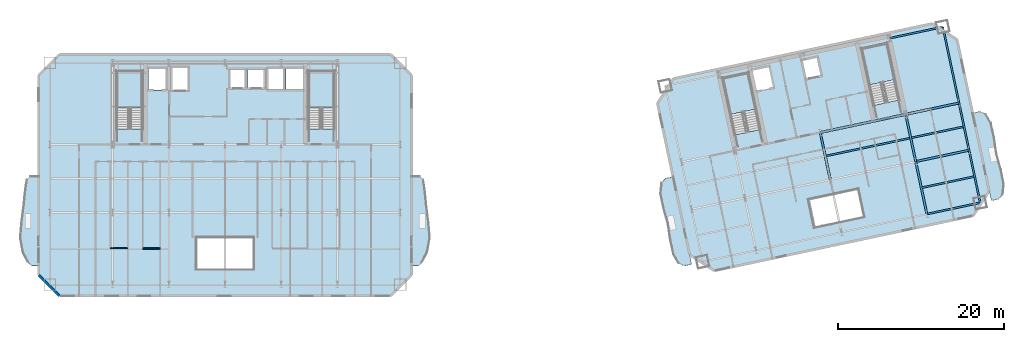
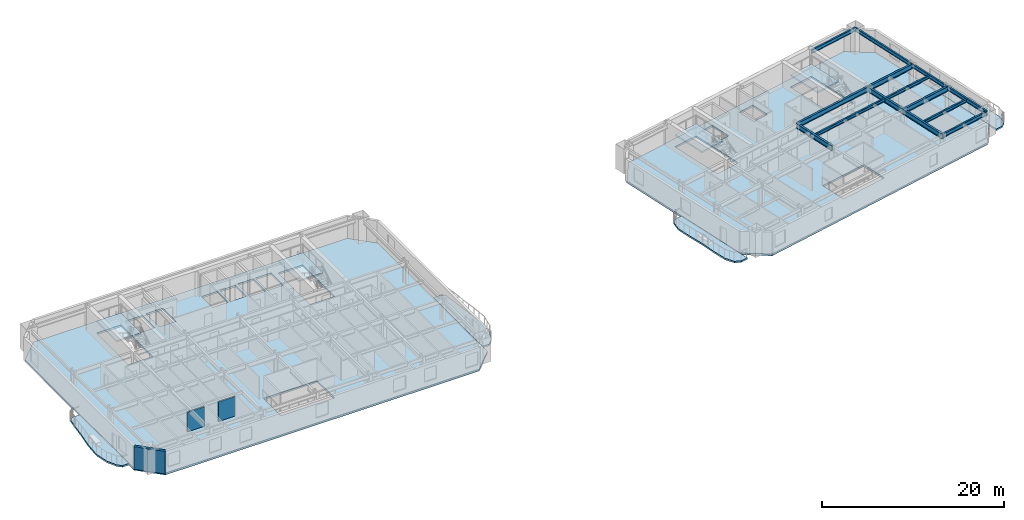
# One storey, part 4 of 14: 14 beams, 10 slabs, 3 walls, 4 elements without a shape of their own.
"""IFC4 building model written with IfcOpenShell, lengths in metres."""

from ifc_helpers import new_model, si_unit, direction, frame, frame_2d, origin, origin_2d, place, context, subcontext, project, spatial, polyline, rectangle, i_section, outline, extrude, material, layer, layer_set, material_profile, profile_set, type_object, element, aggregate, save


model = new_model("IFC4")

# Units and contexts
model_context = context("Model", 3, precision=1e-05, world=origin(), true_north=direction((0.0, 1.0)))
body_context = subcontext(model_context, "Body", "Model", "MODEL_VIEW")
ifc_project = project(units=[si_unit("LENGTHUNIT", "METRE"), si_unit("AREAUNIT", "SQUARE_METRE"), si_unit("VOLUMEUNIT", "CUBIC_METRE"), si_unit("PLANEANGLEUNIT", "RADIAN"), si_unit("MASSUNIT", "GRAM", prefix="KILO")], contexts=[model_context])

# Site, building, storey
site_placement = place(None, origin())
site = spatial("IfcSite", under=ifc_project, at=site_placement, CompositionType="ELEMENT")
building_placement = place(site_placement, origin())
building = spatial("IfcBuilding", under=site, at=building_placement, Name="Haevon Station Towers", CompositionType="ELEMENT")
storey_placement = place(building_placement, frame((0.0, 0.0, 119.699951171875)))
storey = spatial("IfcBuildingStorey", under=building, at=storey_placement, Name="L32", CompositionType="ELEMENT", Elevation=119.699951171875)

# Beams
ifc_material_1 = material(Name="Steel S355", Category="steel")
ifc_material_profile_1 = material_profile(ifc_material_1, i_section(OverallWidth=0.25, OverallDepth=0.64990234375, WebThickness=0.012939453125, FlangeThickness=0.02197265625, at=origin_2d()), Name="H-650x250x13x22")
ifc_profile_set_1 = profile_set([ifc_material_profile_1], Name="Steel S355")
beam_type_1 = type_object("IfcBeamType", Name="BM-G650", PredefinedType="BEAM", material=ifc_profile_set_1)
beam_1_placement = place(storey_placement, frame((120.499267578125, 36.13525390625, 2.72509765625), z_axis=(0.978148524343, 0.207907345532, 0.0), x_axis=(-0.207907345532, 0.978148524343, 0.0)))
element("IfcBeam", 1, at=beam_1_placement, inside=storey, type_object=beam_type_1, Name="BM-T2U-L32-02-04", PredefinedType="BEAM", context=body_context, shape_type="SweptSolid", body=[
    extrude(i_section(OverallWidth=0.25, OverallDepth=0.64990234375, WebThickness=0.012939453125, FlangeThickness=0.02197265625, at=origin_2d()), origin(), (0.0, 0.0, 1.0), 6.550048828125),
])
beam_2_placement = place(storey_placement, frame((109.02294921875, 39.62548828125, 2.72509765625), z_axis=(0.978146794194, 0.207915485254, 0.0), x_axis=(-0.207915485254, 0.978146794194, 0.0)))
element("IfcBeam", 2, at=beam_2_placement, inside=storey, type_object=beam_type_1, Name="BM-T2U-L32-03-03", PredefinedType="BEAM", context=body_context, shape_type="SweptSolid", body=[
    extrude(i_section(OverallWidth=0.25, OverallDepth=0.64990234375, WebThickness=0.012939453125, FlangeThickness=0.02197265625, at=origin_2d()), origin(), (0.0, 0.0, 1.0), 10.5),
])
beam_3_placement = place(storey_placement, frame((119.29345703125, 41.80859375, 2.72509765625), z_axis=(0.978146913123, 0.207914925745, 0.0), x_axis=(-0.207914925745, 0.978146913123, 0.0)))
element("IfcBeam", 3, at=beam_3_placement, inside=storey, type_object=beam_type_1, Name="BM-T2U-L32-03-04", PredefinedType="BEAM", context=body_context, shape_type="SweptSolid", body=[
    extrude(i_section(OverallWidth=0.25, OverallDepth=0.64990234375, WebThickness=0.012939453125, FlangeThickness=0.02197265625, at=origin_2d()), origin(), (0.0, 0.0, 1.0), 6.5498046875),
])
beam_4_placement = place(storey_placement, frame((110.228759765625, 33.9521484375, 2.72509765625), z_axis=(-0.207896009217, 0.97815093383, 0.0), x_axis=(-0.97815093383, -0.207896009217, 0.0)))
element("IfcBeam", 4, at=beam_4_placement, inside=storey, type_object=beam_type_1, Name="BM-T2V-L32-03-02", PredefinedType="BEAM", context=body_context, shape_type="SweptSolid", body=[
    extrude(i_section(OverallWidth=0.25, OverallDepth=0.64990234375, WebThickness=0.012939453125, FlangeThickness=0.02197265625, at=origin_2d()), origin(), (0.0, 0.0, 1.0), 5.800048828125),
])
beam_5_placement = place(storey_placement, frame((121.84033203125, 29.826171875, 2.72509765625), z_axis=(-0.207915795165, 0.978146728319, 0.0), x_axis=(-0.978146728319, -0.207915795165, 0.0)))
element("IfcBeam", 5, at=beam_5_placement, inside=storey, type_object=beam_type_1, Name="BM-T2V-L32-04-01", PredefinedType="BEAM", context=body_context, shape_type="SweptSolid", body=[
    extrude(i_section(OverallWidth=0.25, OverallDepth=0.64990234375, WebThickness=0.012939453125, FlangeThickness=0.02197265625, at=origin_2d()), origin(), (0.0, 0.0, 1.0), 6.449951171875),
])
beam_6_placement = place(storey_placement, frame((120.499267578125, 36.13525390625, 2.72509765625), z_axis=(-0.207896009217, 0.97815093383, 0.0), x_axis=(-0.97815093383, -0.207896009217, 0.0)))
element("IfcBeam", 6, at=beam_6_placement, inside=storey, type_object=beam_type_1, Name="BM-T2V-L32-04-02", PredefinedType="BEAM", context=body_context, shape_type="SweptSolid", body=[
    extrude(i_section(OverallWidth=0.25, OverallDepth=0.64990234375, WebThickness=0.012939453125, FlangeThickness=0.02197265625, at=origin_2d()), origin(), (0.0, 0.0, 1.0), 5.800048828125),
])
ifc_material_profile_2 = material_profile(ifc_material_1, i_section(OverallWidth=0.199951171875, OverallDepth=0.39990234375, WebThickness=0.008056640625, FlangeThickness=0.012939453125, at=origin_2d()), Name="H-400x200x8x13")
ifc_profile_set_2 = profile_set([ifc_material_profile_2], Name="Steel S355")
beam_type_2 = type_object("IfcBeamType", Name="BM-J400", PredefinedType="JOIST", material=ifc_profile_set_2)
beam_7_placement = place(storey_placement, frame((121.27734375, 33.003662109375, 2.85009765625), z_axis=(0.978146498858, 0.207916874669, 0.0), x_axis=(-0.207916874669, 0.978146498858, 0.0)))
element("IfcBeam", 7, at=beam_7_placement, inside=storey, type_object=beam_type_2, Name="BM-T2J-L32-01-04", PredefinedType="JOIST", context=body_context, shape_type="SweptSolid", body=[
    extrude(i_section(OverallWidth=0.199951171875, OverallDepth=0.39990234375, WebThickness=0.008056640625, FlangeThickness=0.012939453125, at=origin_2d()), origin(), (0.0, 0.0, 1.0), 6.330322265625),
])
beam_8_placement = place(storey_placement, frame((109.7333984375, 36.811767578125, 2.85009765625), z_axis=(0.978150339653, 0.207898804801, 0.0), x_axis=(-0.207898804801, 0.978150339653, 0.0)))
element("IfcBeam", 8, at=beam_8_placement, inside=storey, type_object=beam_type_2, Name="BM-T2J-L32-02-03", PredefinedType="JOIST", context=body_context, shape_type="SweptSolid", body=[
    extrude(i_section(OverallWidth=0.199951171875, OverallDepth=0.39990234375, WebThickness=0.008056640625, FlangeThickness=0.012939453125, at=origin_2d()), origin(), (0.0, 0.0, 1.0), 10.280029296875),
])
beam_9_placement = place(storey_placement, frame((120.00390625, 38.994873046875, 2.85009765625), z_axis=(0.978152675037, 0.207887816665, 0.0), x_axis=(-0.207887816665, 0.978152675037, 0.0)))
element("IfcBeam", 9, at=beam_9_placement, inside=storey, type_object=beam_type_2, Name="BM-T2J-L32-02-04", PredefinedType="JOIST", context=body_context, shape_type="SweptSolid", body=[
    extrude(i_section(OverallWidth=0.199951171875, OverallDepth=0.39990234375, WebThickness=0.008056640625, FlangeThickness=0.012939453125, at=origin_2d()), origin(), (0.0, 0.0, 1.0), 6.329833984375),
])
ifc_material_profile_3 = material_profile(ifc_material_1, i_section(OverallWidth=0.199951171875, OverallDepth=0.5, WebThickness=0.010009765625, FlangeThickness=0.01611328125, at=origin_2d()), Name="H-500x200x10x16")
ifc_profile_set_3 = profile_set([ifc_material_profile_3], Name="Steel S355")
beam_type_3 = type_object("IfcBeamType", Name="BM-SP500", PredefinedType="SPANDREL", material=ifc_profile_set_3)
for number, where, z_axis, x_axis, name in (
    (10, (121.84033203125, 29.826171875, 2.800048828125), (0.978148524343, 0.207907345532, 0.0), (-0.207907345532, 0.978148524343, 0.0), "BM-T2U-L32-01-04"),
    (11, (117.349365234375, 50.954345703125, 2.800048828125), (0.978148524343, 0.207907345532, 0.0), (-0.207907345532, 0.978148524343, 0.0), "BM-T2U-L32-04-04"),
):
    element("IfcBeam", number, at=place(storey_placement, frame(where, z_axis=z_axis, x_axis=x_axis)), inside=storey, type_object=beam_type_3, Name=name, PredefinedType="SPANDREL", context=body_context, shape_type="SweptSolid", body=[
        extrude(i_section(OverallWidth=0.199951171875, OverallDepth=0.5, WebThickness=0.010009765625, FlangeThickness=0.01611328125, at=origin_2d()), origin(), (0.0, 0.0, 1.0), 6.550048828125),
    ])
beam_10_placement = place(storey_placement, frame((128.247314453125, 31.18798828125, 2.800048828125), z_axis=(-0.207915795165, 0.978146728319, 0.0), x_axis=(-0.978146728319, -0.207915795165, 0.0)))
element("IfcBeam", 12, at=beam_10_placement, inside=storey, type_object=beam_type_3, Name="BM-T2V-L32-05-01", PredefinedType="SPANDREL", context=body_context, shape_type="SweptSolid", body=[
    extrude(i_section(OverallWidth=0.199951171875, OverallDepth=0.5, WebThickness=0.010009765625, FlangeThickness=0.01611328125, at=origin_2d()), origin(), (0.0, 0.0, 1.0), 6.449951171875),
])
beam_11_placement = place(storey_placement, frame((126.90625, 37.4970703125, 2.800048828125), z_axis=(-0.207936282142, 0.978142373363, 0.0), x_axis=(-0.978142373363, -0.207936282142, 0.0)))
element("IfcBeam", 13, at=beam_11_placement, inside=storey, type_object=beam_type_3, Name="BM-T2V-L32-05-02", PredefinedType="SPANDREL", context=body_context, shape_type="SweptSolid", body=[
    extrude(i_section(OverallWidth=0.199951171875, OverallDepth=0.5, WebThickness=0.010009765625, FlangeThickness=0.01611328125, at=origin_2d()), origin(), (0.0, 0.0, 1.0), 5.800048828125),
])
beam_12_placement = place(storey_placement, frame((125.7001953125, 43.17041015625, 2.800048828125), z_axis=(-0.207897167074, 0.978150687738, 0.0), x_axis=(-0.978150687738, -0.207897167074, 0.0)))
element("IfcBeam", 14, at=beam_12_placement, inside=storey, type_object=beam_type_3, Name="BM-T2V-L32-05-03", PredefinedType="SPANDREL", context=body_context, shape_type="SweptSolid", body=[
    extrude(i_section(OverallWidth=0.199951171875, OverallDepth=0.5, WebThickness=0.010009765625, FlangeThickness=0.01611328125, at=origin_2d()), origin(), (0.0, 0.0, 1.0), 9.35009765625),
])

# Slabs
ifc_material_2 = material(Name="Concrete C40/50", Category="concrete")
ifc_layer_1 = layer(ifc_material_2, 0.219970703125)
ifc_layer_set_1 = layer_set([ifc_layer_1], Name="Concrete C40/50")
slab_type_1 = type_object("IfcSlabType", Name="SL-BALC220", PredefinedType="FLOOR", material=ifc_layer_set_1)
slab_1_placement = place(storey_placement, frame((0.0, 0.0, -0.219970703125)))
element("IfcSlab", 15, at=slab_1_placement, inside=storey, type_object=slab_type_1, Name="Tower 1 L32 West SCALLOPED BALCONY", PredefinedType="FLOOR", context=body_context, shape_type="SweptSolid", body=[
    extrude(outline(polyline([(15.094970703125, 34.39990234375), (14.1064453125, 34.39990234375), (13.6845703125, 33.989013671875), (13.500732421875, 32.818359375), (13.311767578125, 31.06640625), (12.9951171875, 29.0), (12.863525390625, 26.93359375), (13.202880859375, 25.181640625), (13.809326171875, 24.010986328125), (14.2451171875, 23.60009765625), (15.094970703125, 23.60009765625), (15.094970703125, 34.39990234375)])), origin(), (0.0, 0.0, 1.0), 0.219970703125),
])
slab_2_placement = place(storey_placement, frame((0.0, 0.0, -0.219970703125)))
element("IfcSlab", 16, at=slab_2_placement, inside=storey, type_object=slab_type_1, Name="Tower 1 L32 East SCALLOPED BALCONY", PredefinedType="FLOOR", context=body_context, shape_type="SweptSolid", body=[
    extrude(outline(polyline([(59.905029296875, 23.60009765625), (60.7548828125, 23.60009765625), (61.190673828125, 24.010986328125), (61.797119140625, 25.181640625), (62.136474609375, 26.93359375), (62.0048828125, 29.0), (61.688232421875, 31.06640625), (61.499267578125, 32.818359375), (61.3154296875, 33.989013671875), (60.8935546875, 34.39990234375), (59.905029296875, 34.39990234375), (59.905029296875, 23.60009765625)])), origin(), (0.0, 0.0, 1.0), 0.219970703125),
])
slab_3_placement = place(storey_placement, frame((0.0, 0.0, -0.219970703125)))
element("IfcSlab", 17, at=slab_3_placement, inside=storey, type_object=slab_type_1, Name="Tower 2 L32 West SCALLOPED BALCONY", PredefinedType="FLOOR", context=body_context, shape_type="SweptSolid", body=[
    extrude(outline(polyline([(91.33203125, 34.33154296875), (90.46923828125, 34.148193359375), (89.95166015625, 33.617919921875), (89.81005859375, 32.39111328125), (90.15234375, 30.6728515625), (90.648681640625, 28.665771484375), (91.01171875, 26.63037109375), (91.397705078125, 24.92138671875), (92.026123046875, 23.858154296875), (92.714599609375, 23.584228515625), (93.577392578125, 23.767578125), (91.33203125, 34.33154296875)])), origin(), (0.0, 0.0, 1.0), 0.219970703125),
])
slab_4_placement = place(storey_placement, frame((0.0, 0.0, -0.219970703125)))
element("IfcSlab", 18, at=slab_4_placement, inside=storey, type_object=slab_type_1, Name="Tower 2 L32 East SCALLOPED BALCONY", PredefinedType="FLOOR", context=body_context, shape_type="SweptSolid", body=[
    extrude(outline(polyline([(129.5830078125, 31.4208984375), (130.44580078125, 31.604248046875), (130.96337890625, 32.134521484375), (131.10498046875, 33.361328125), (130.7626953125, 35.07958984375), (130.26611328125, 37.086669921875), (129.9033203125, 39.122314453125), (129.517333984375, 40.831298828125), (128.888916015625, 41.894287109375), (128.2001953125, 42.168212890625), (127.337646484375, 41.98486328125), (129.5830078125, 31.4208984375)])), origin(), (0.0, 0.0, 1.0), 0.219970703125),
])

# Stair, slab
stair_type = type_object("IfcStairType", Name="STR-DL1450", PredefinedType="USERDEFINED", material=ifc_material_2)
stair_1_placement = place(storey_placement, origin())
stair_1 = element("IfcStair", 19, at=stair_1_placement, inside=storey, type_object=stair_type, Name="L32 Escape Stair ST1", ObjectType="TWO_RETURN_STAIR", PredefinedType="USERDEFINED")
ifc_layer_2 = layer(ifc_material_2, 0.199951171875)
ifc_layer_set_2 = layer_set([ifc_layer_2], Name="Concrete C40/50")
slab_type_2 = type_object("IfcSlabType", Name="SL-LND200", PredefinedType="LANDING", material=ifc_layer_set_2)
slab_5_placement = place(storey_placement, frame((0.0, 0.0, 1.449951171875)))
slab_5 = element("IfcSlab", 20, at=slab_5_placement, type_object=slab_type_2, Name="L32 ST1 Half Landing 1", PredefinedType="LANDING", context=body_context, shape_type="SweptSolid", body=[
    extrude(outline(polyline([(27.580078125, 42.56396484375), (27.580078125, 47.0), (24.47998046875, 47.0), (24.47998046875, 42.56396484375), (27.580078125, 42.56396484375)])), origin(), (0.0, 0.0, 1.0), 0.2001953125),
])
aggregate(stair_1, [slab_5])

stair_2_placement = place(storey_placement, origin())
stair_2 = element("IfcStair", 21, at=stair_2_placement, inside=storey, type_object=stair_type, Name="L32 Escape Stair ST2", ObjectType="TWO_RETURN_STAIR", PredefinedType="USERDEFINED")
slab_6_placement = place(storey_placement, frame((0.0, 0.0, 1.449951171875)))
slab_6 = element("IfcSlab", 22, at=slab_6_placement, type_object=slab_type_2, Name="L32 ST2 Half Landing 1", PredefinedType="LANDING", context=body_context, shape_type="SweptSolid", body=[
    extrude(outline(polyline([(50.6201171875, 42.56396484375), (50.6201171875, 47.0), (47.52001953125, 47.0), (47.52001953125, 42.56396484375), (50.6201171875, 42.56396484375)])), origin(), (0.0, 0.0, 1.0), 0.2001953125),
])
aggregate(stair_2, [slab_6])

stair_3_placement = place(storey_placement, origin())
stair_3 = element("IfcStair", 23, at=stair_3_placement, inside=storey, type_object=stair_type, Name="L32 Escape Stair ST3", ObjectType="TWO_RETURN_STAIR", PredefinedType="USERDEFINED")
slab_7_placement = place(storey_placement, frame((0.0, 0.0, 1.449951171875)))
slab_7 = element("IfcSlab", 24, at=slab_7_placement, type_object=slab_type_2, Name="L32 ST3 Half Landing 1", PredefinedType="LANDING", context=body_context, shape_type="SweptSolid", body=[
    extrude(outline(polyline([(101.2880859375, 42.44287109375), (100.36572265625, 46.781982421875), (97.33349609375, 46.137451171875), (98.255859375, 41.79833984375), (101.2880859375, 42.44287109375)])), origin(), (0.0, 0.0, 1.0), 0.2001953125),
])
aggregate(stair_3, [slab_7])

stair_4_placement = place(storey_placement, origin())
stair_4 = element("IfcStair", 25, at=stair_4_placement, inside=storey, type_object=stair_type, Name="L32 Escape Stair ST4", ObjectType="TWO_RETURN_STAIR", PredefinedType="USERDEFINED")
slab_8_placement = place(storey_placement, frame((0.0, 0.0, 1.449951171875)))
slab_8 = element("IfcSlab", 26, at=slab_8_placement, type_object=slab_type_2, Name="L32 ST4 Half Landing 1", PredefinedType="LANDING", context=body_context, shape_type="SweptSolid", body=[
    extrude(outline(polyline([(117.975341796875, 45.989990234375), (117.052978515625, 50.328857421875), (114.020751953125, 49.684326171875), (114.943115234375, 45.345458984375), (117.975341796875, 45.989990234375)])), origin(), (0.0, 0.0, 1.0), 0.2001953125),
])
aggregate(stair_4, [slab_8])

# Slabs
ifc_layer_3 = layer(ifc_material_2, 0.25)
ifc_layer_set_3 = layer_set([ifc_layer_3], Name="Concrete C40/50")
slab_type_3 = type_object("IfcSlabType", Name="SL-TW250", PredefinedType="FLOOR", material=ifc_layer_set_3)
slab_9_placement = place(storey_placement, frame((0.0, 0.0, -0.25)))
element("IfcSlab", 27, at=slab_9_placement, inside=storey, type_object=slab_type_3, Name="SL-T1-L32", PredefinedType="FLOOR", context=body_context, shape_type="SweptSolid", body=[
    extrude(outline(polyline([(17.60009765625, 20.0), (57.39990234375, 20.0), (59.89990234375, 22.5), (59.89990234375, 46.5), (57.39990234375, 49.0), (17.60009765625, 49.0), (15.10009765625, 46.5), (15.10009765625, 22.5), (17.60009765625, 20.0)]), holes=[polyline([(27.580078125, 40.055908203125), (27.580078125, 47.0), (24.47998046875, 47.0), (24.47998046875, 40.055908203125), (27.580078125, 40.055908203125)]), polyline([(50.6201171875, 40.055908203125), (50.6201171875, 47.0), (47.52001953125, 47.0), (47.52001953125, 40.055908203125), (50.6201171875, 40.055908203125)]), polyline([(28.300048828125, 44.699951171875), (30.5, 44.699951171875), (30.5, 47.39990234375), (28.300048828125, 47.39990234375), (28.300048828125, 44.699951171875)]), polyline([(31.050048828125, 44.60009765625), (33.14990234375, 44.60009765625), (33.14990234375, 47.5), (31.050048828125, 47.5), (31.050048828125, 44.60009765625)]), polyline([(38.0, 44.89990234375), (40.0, 44.89990234375), (40.0, 47.300048828125), (38.0, 47.300048828125), (38.0, 44.89990234375)]), polyline([(40.25, 44.89990234375), (42.25, 44.89990234375), (42.25, 47.300048828125), (40.25, 47.300048828125), (40.25, 44.89990234375)]), polyline([(42.60009765625, 44.699951171875), (44.60009765625, 44.699951171875), (44.60009765625, 47.39990234375), (42.60009765625, 47.39990234375), (42.60009765625, 44.699951171875)]), polyline([(44.85009765625, 44.699951171875), (46.85009765625, 44.699951171875), (46.85009765625, 47.39990234375), (44.85009765625, 47.39990234375), (44.85009765625, 44.699951171875)]), polyline([(34.10009765625, 23.199951171875), (40.89990234375, 23.199951171875), (40.89990234375, 27.0), (34.10009765625, 27.0), (34.10009765625, 23.199951171875)])]), origin(), (0.0, 0.0, 1.0), 0.25),
])
slab_10_placement = place(storey_placement, frame((0.0, 0.0, -0.25)))
element("IfcSlab", 28, at=slab_10_placement, inside=storey, type_object=slab_type_3, Name="SL-T2-L32", PredefinedType="FLOOR", context=body_context, shape_type="SweptSolid", body=[
    extrude(outline(polyline([(96.2978515625, 23.016845703125), (127.403076171875, 29.62841796875), (129.32861328125, 32.593505859375), (125.46142578125, 50.787109375), (122.496337890625, 52.712646484375), (91.391357421875, 46.10107421875), (89.465576171875, 43.135986328125), (93.332763671875, 24.9423828125), (96.2978515625, 23.016845703125)]), holes=[polyline([(101.8095703125, 39.98974609375), (100.36572265625, 46.781982421875), (97.33349609375, 46.137451171875), (98.77734375, 39.34521484375), (101.8095703125, 39.98974609375)]), polyline([(118.496826171875, 43.53662109375), (117.052978515625, 50.328857421875), (114.020751953125, 49.684326171875), (115.464599609375, 42.89208984375), (118.496826171875, 43.53662109375)]), polyline([(101.43212890625, 44.554931640625), (103.486328125, 44.99169921875), (102.9248046875, 47.632568359375), (100.870849609375, 47.196044921875), (101.43212890625, 44.554931640625)]), polyline([(107.259521484375, 45.998046875), (109.2158203125, 46.413818359375), (108.716796875, 48.761474609375), (106.760498046875, 48.345703125), (107.259521484375, 45.998046875)]), polyline([(108.37548828125, 28.2421875), (114.244384765625, 29.489501953125), (113.537353515625, 32.815185546875), (107.668701171875, 31.56787109375), (108.37548828125, 28.2421875)])]), origin(), (0.0, 0.0, 1.0), 0.25),
])

# Walls
ifc_material_3 = material(Name="Precast concrete C45/55", Category="concrete")
ifc_layer_4 = layer(ifc_material_3, 0.320068359375)
ifc_layer_set_4 = layer_set([ifc_layer_4], Name="Precast concrete C45/55")
wall_type_1 = type_object("IfcWallType", Name="WL-EXT-PIER320", PredefinedType="SOLIDWALL", material=ifc_layer_set_4)
wall_1_placement = place(storey_placement, frame((17.60009765625, 20.0, 0.0), z_axis=(0.0, 0.0, 1.0), x_axis=(-0.707106781187, 0.707106781187, 0.0)))
element("IfcWall", 29, at=wall_1_placement, inside=storey, type_object=wall_type_1, Name="WL-T1-L32-SWC", PredefinedType="SOLIDWALL", context=body_context, shape_type="SweptSolid", body=[
    extrude(rectangle(XDim=3.53564453125, YDim=0.320068359375, at=frame_2d((1.767822265625, 0.0))), origin(), (0.0, 0.0, 1.0), 3.030029296875),
])
ifc_material_4 = material(Name="Gypsum board on steel stud", Category="steel")
ifc_layer_5 = layer(ifc_material_4, 0.125)
ifc_layer_set_5 = layer_set([ifc_layer_5], Name="Gypsum board on steel stud")
wall_type_2 = type_object("IfcWallType", Name="WL-PRT125", PredefinedType="PARTITIONING", material=ifc_layer_set_5)
wall_2_placement = place(storey_placement, frame((23.699951171875, 25.697021484375, 0.0), z_axis=(0.0, 0.0, 1.0), x_axis=(1.0, 0.0, 0.0)))
element("IfcWall", 30, at=wall_2_placement, inside=storey, type_object=wall_type_2, Name="WL-T1PT-L32-11", PredefinedType="PARTITIONING", context=body_context, shape_type="SweptSolid", body=[
    extrude(rectangle(XDim=2.114990234375, YDim=0.125, at=frame_2d((1.0576171875, 0.0))), origin(), (0.0, 0.0, 1.0), 2.630126953125),
])
ifc_layer_6 = layer(ifc_material_4, 0.139892578125)
ifc_layer_set_6 = layer_set([ifc_layer_6], Name="Gypsum board on steel stud")
wall_type_3 = type_object("IfcWallType", Name="WL-PRT140", PredefinedType="PARTITIONING", material=ifc_layer_set_6)
wall_3_placement = place(storey_placement, frame((27.594970703125, 25.697021484375, 0.0), z_axis=(0.0, 0.0, 1.0), x_axis=(1.0, 0.0, 0.0)))
element("IfcWall", 31, at=wall_3_placement, inside=storey, type_object=wall_type_3, Name="WL-T1PT-L32-14", PredefinedType="PARTITIONING", context=body_context, shape_type="SweptSolid", body=[
    extrude(rectangle(XDim=2.114990234375, YDim=0.139892578125, at=frame_2d((1.0576171875, 0.0))), origin(), (0.0, 0.0, 1.0), 2.630126953125),
])

save(model, "model.ifc")
